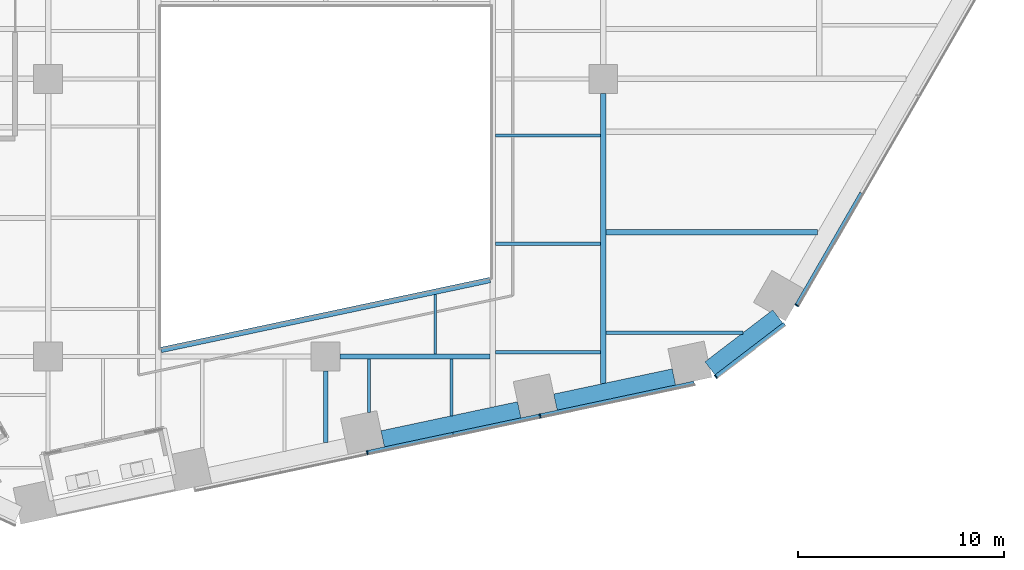
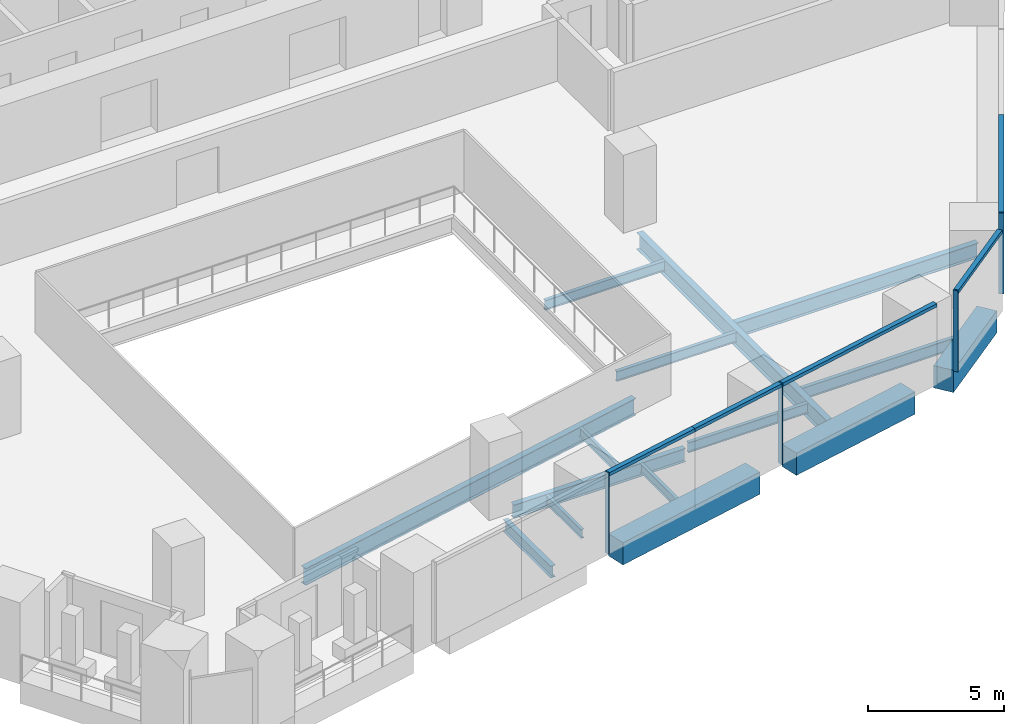
# One storey, part 5 of 28: 15 beams, 9 members, 3 elements without a shape of their own.
"""IFC4 building model written with IfcOpenShell, lengths in metres."""

from ifc_helpers import new_model, si_unit, direction, frame, origin, origin_2d, place, context, subcontext, project, spatial, rectangle, i_section, extrude, material, layer, layer_set, material_profile, profile_set, type_object, element, aggregate, save


model = new_model("IFC4")

# Units and contexts
model_context = context("Model", 3, precision=1e-05, world=origin(), true_north=direction((0.0, 1.0)))
body_context = subcontext(model_context, "Body", "Model", "MODEL_VIEW")
ifc_project = project(units=[si_unit("LENGTHUNIT", "METRE"), si_unit("AREAUNIT", "SQUARE_METRE"), si_unit("VOLUMEUNIT", "CUBIC_METRE"), si_unit("PLANEANGLEUNIT", "RADIAN"), si_unit("MASSUNIT", "GRAM", prefix="KILO")], contexts=[model_context])

# Site, building, storey
site_placement = place(None, origin())
site = spatial("IfcSite", under=ifc_project, at=site_placement, CompositionType="ELEMENT")
building_placement = place(site_placement, origin())
building = spatial("IfcBuilding", under=site, at=building_placement, Name="Isthmus Gate Tower", CompositionType="ELEMENT")
storey_placement = place(building_placement, frame((0.0, 0.0, 68.85009765625)))
storey = spatial("IfcBuildingStorey", under=building, at=storey_placement, Name="L15", CompositionType="ELEMENT", Elevation=68.85009765625)

# Curtain wall, members
ifc_material_1 = material(Name="Aluminium, pale champagne anodised", Category="aluminium")
ifc_layer = layer(ifc_material_1, 0.199951171875)
ifc_layer_set = layer_set([ifc_layer], Name="CW-1 UNITISED CURTAIN WALL 200 DEEP")
curtain_wall_type = type_object("IfcCurtainWallType", Name="CW-1 UNITISED CURTAIN WALL 200 DEEP", PredefinedType="NOTDEFINED", material=ifc_layer_set)
curtain_wall_1_placement = place(storey_placement, origin())
curtain_wall_1 = element("IfcCurtainWall", 1, at=curtain_wall_1_placement, inside=storey, type_object=curtain_wall_type, Name="CW-1 S L15", PredefinedType="NOTDEFINED")
ifc_material_2 = material(Name="Aluminium, pale champagne anodised", Category="aluminium")
ifc_material_profile_1 = material_profile(ifc_material_2, rectangle(XDim=0.06005859375, YDim=0.199951171875, at=origin_2d()), Name="60x200")
ifc_profile_set_1 = profile_set([ifc_material_profile_1], Name="Aluminium, pale champagne anodised")
member_type_1 = type_object("IfcMemberType", Name="CW-1 MULLION 60 X 200", PredefinedType="MULLION", material=ifc_profile_set_1)
member_1_placement = place(storey_placement, frame((2.02783203125, -31.671142578125, 0.0), z_axis=(0.0, 0.0, 1.0), x_axis=(0.978147600734, 0.207911690818, 0.0)))
member_1 = element("IfcMember", 2, at=member_1_placement, type_object=member_type_1, Name="CW-1 mullion", PredefinedType="MULLION", context=body_context, shape_type="SweptSolid", body=[
    extrude(rectangle(XDim=0.06005859375, YDim=0.199951171875, at=origin_2d()), origin(), (0.0, 0.0, 1.0), 3.64990234375),
])
member_2_placement = place(storey_placement, frame((10.429443359375, -29.88525390625, 0.0), z_axis=(0.0, 0.0, 1.0), x_axis=(0.978147600734, 0.207911690818, 0.0)))
member_2 = element("IfcMember", 3, at=member_2_placement, type_object=member_type_1, Name="CW-1 mullion", PredefinedType="MULLION", context=body_context, shape_type="SweptSolid", body=[
    extrude(rectangle(XDim=0.06005859375, YDim=0.199951171875, at=origin_2d()), origin(), (0.0, 0.0, 1.0), 3.64990234375),
])

# Curtain wall, member
curtain_wall_2_placement = place(storey_placement, origin())
curtain_wall_2 = element("IfcCurtainWall", 4, at=curtain_wall_2_placement, inside=storey, type_object=curtain_wall_type, Name="CW-1 S-SE L15", PredefinedType="NOTDEFINED")
member_3_placement = place(storey_placement, frame((18.978759765625, -27.982421875, 0.0), z_axis=(0.0, 0.0, 1.0), x_axis=(0.794188594387, 0.607671355706, 0.0)))
member_3 = element("IfcMember", 5, at=member_3_placement, type_object=member_type_1, Name="CW-1 mullion", PredefinedType="MULLION", context=body_context, shape_type="SweptSolid", body=[
    extrude(rectangle(XDim=0.06005859375, YDim=0.199951171875, at=origin_2d()), origin(), (0.0, 0.0, 1.0), 3.64990234375),
])

curtain_wall_3_placement = place(storey_placement, origin())
curtain_wall_3 = element("IfcCurtainWall", 6, at=curtain_wall_3_placement, inside=storey, type_object=curtain_wall_type, Name="CW-1 SE L15", PredefinedType="NOTDEFINED")
member_4_placement = place(storey_placement, frame((22.91357421875, -24.5126953125, 0.0), z_axis=(0.0, 0.0, 1.0), x_axis=(0.5, 0.866025403784, 0.0)))
member_4 = element("IfcMember", 7, at=member_4_placement, type_object=member_type_1, Name="CW-1 mullion", PredefinedType="MULLION", context=body_context, shape_type="SweptSolid", body=[
    extrude(rectangle(XDim=0.06005859375, YDim=0.199951171875, at=origin_2d()), origin(), (0.0, 0.0, 1.0), 3.64990234375),
])

# Member
ifc_material_3 = material(Name="Aluminium, pale champagne anodised", Category="aluminium")
ifc_material_profile_2 = material_profile(ifc_material_3, rectangle(XDim=0.199951171875, YDim=0.14990234375, at=origin_2d()), Name="200x150")
ifc_profile_set_2 = profile_set([ifc_material_profile_2], Name="Aluminium, pale champagne anodised")
member_type_2 = type_object("IfcMemberType", Name="CW-1 TRANSOM 200 X 150", PredefinedType="USERDEFINED", material=ifc_profile_set_2)
member_5_placement = place(storey_placement, frame((2.05712890625, -31.6650390625, 3.574951171875), z_axis=(0.978138625982, 0.207953909225, 0.0), x_axis=(-0.207953909225, 0.978138625982, 0.0)))
member_5 = element("IfcMember", 8, at=member_5_placement, type_object=member_type_2, Name="CW-1 transom", ObjectType="TRANSOM", PredefinedType="USERDEFINED", context=body_context, shape_type="SweptSolid", body=[
    extrude(rectangle(XDim=0.199951171875, YDim=0.14990234375, at=origin_2d()), origin(), (0.0, 0.0, 1.0), 4.234619140625),
])

member_6_placement = place(storey_placement, frame((6.19921875, -30.784423828125, 3.574951171875), z_axis=(0.978152927092, 0.207886630695, 0.0), x_axis=(-0.207886630695, 0.978152927092, 0.0)))
member_6 = element("IfcMember", 9, at=member_6_placement, type_object=member_type_2, Name="CW-1 transom", ObjectType="TRANSOM", PredefinedType="USERDEFINED", context=body_context, shape_type="SweptSolid", body=[
    extrude(rectangle(XDim=0.199951171875, YDim=0.14990234375, at=origin_2d()), origin(), (0.0, 0.0, 1.0), 4.294677734375),
])

member_7_placement = place(storey_placement, frame((10.458740234375, -29.879150390625, 3.574951171875), z_axis=(0.978149009137, 0.20790506469, 0.0), x_axis=(-0.20790506469, 0.978149009137, 0.0)))
member_7 = element("IfcMember", 10, at=member_7_placement, type_object=member_type_2, Name="CW-1 transom", ObjectType="TRANSOM", PredefinedType="USERDEFINED", context=body_context, shape_type="SweptSolid", body=[
    extrude(rectangle(XDim=0.199951171875, YDim=0.14990234375, at=origin_2d()), origin(), (0.0, 0.0, 1.0), 7.62939453125),
])

aggregate(curtain_wall_1, [member_1, member_5, member_6, member_2, member_7])

member_8_placement = place(storey_placement, frame((19.002685546875, -27.96435546875, 3.574951171875), z_axis=(0.794175498212, 0.607688471209, 0.0), x_axis=(-0.607688471209, 0.794175498212, 0.0)))
member_8 = element("IfcMember", 11, at=member_8_placement, type_object=member_type_2, Name="CW-1 transom", ObjectType="TRANSOM", PredefinedType="USERDEFINED", context=body_context, shape_type="SweptSolid", body=[
    extrude(rectangle(XDim=0.199951171875, YDim=0.14990234375, at=origin_2d()), origin(), (0.0, 0.0, 1.0), 4.181396484375),
])

aggregate(curtain_wall_2, [member_3, member_8])

member_9_placement = place(storey_placement, frame((22.928466796875, -24.486572265625, 3.574951171875), z_axis=(0.50002426866, 0.866011391814, 0.0), x_axis=(-0.866011391814, 0.50002426866, 0.0)))
member_9 = element("IfcMember", 12, at=member_9_placement, type_object=member_type_2, Name="CW-1 transom", ObjectType="TRANSOM", PredefinedType="USERDEFINED", context=body_context, shape_type="SweptSolid", body=[
    extrude(rectangle(XDim=0.199951171875, YDim=0.14990234375, at=origin_2d()), origin(), (0.0, 0.0, 1.0), 6.278564453125),
])

aggregate(curtain_wall_3, [member_4, member_9])

# Beams
ifc_material_4 = material(Name="Concrete f'c 70 MPa", Category="concrete")
ifc_material_profile_3 = material_profile(ifc_material_4, rectangle(XDim=0.800048828125, YDim=1.0, at=origin_2d()), Name="RC 800X1000")
ifc_profile_set_3 = profile_set([ifc_material_profile_3], Name="Concrete f'c 70 MPa")
beam_type_1 = type_object("IfcBeamType", Name="RC SPANDREL 800 X 1000", PredefinedType="SPANDREL", material=ifc_profile_set_3)
beam_1_placement = place(storey_placement, frame((21.98681640625, -25.051513671875, -0.5), z_axis=(-0.794205941875, -0.607648682949, 0.0), x_axis=(0.607648682949, -0.794205941875, 0.0)))
element("IfcBeam", 13, at=beam_1_placement, inside=storey, type_object=beam_type_1, Name="str-spandrel-L15-09", PredefinedType="SPANDREL", context=body_context, shape_type="SweptSolid", body=[
    extrude(rectangle(XDim=0.800048828125, YDim=1.0, at=origin_2d()), origin(), (0.0, 0.0, 1.0), 4.15234375),
])
beam_2_placement = place(storey_placement, frame((16.937255859375, -27.990966796875, -0.5), z_axis=(-0.97815168619, -0.207892469327, 0.0), x_axis=(0.207892469327, -0.97815168619, 0.0)))
element("IfcBeam", 14, at=beam_2_placement, inside=storey, type_object=beam_type_1, Name="str-spandrel-L15-10", PredefinedType="SPANDREL", context=body_context, shape_type="SweptSolid", body=[
    extrude(rectangle(XDim=0.800048828125, YDim=1.0, at=origin_2d()), origin(), (0.0, 0.0, 1.0), 5.889404296875),
])
beam_3_placement = place(storey_placement, frame((9.415771484375, -29.589599609375, -0.5), z_axis=(-0.978145779981, -0.207920256603, 0.0), x_axis=(0.207920256603, -0.978145779981, 0.0)))
element("IfcBeam", 15, at=beam_3_placement, inside=storey, type_object=beam_type_1, Name="str-spandrel-L15-11", PredefinedType="SPANDREL", context=body_context, shape_type="SweptSolid", body=[
    extrude(rectangle(XDim=0.800048828125, YDim=1.0, at=origin_2d()), origin(), (0.0, 0.0, 1.0), 6.789306640625),
])
ifc_material_5 = material(Name="Structural steel ASTM A992 Gr 50", Category="steel")
ifc_material_profile_4 = material_profile(ifc_material_5, i_section(OverallWidth=0.1396484375, OverallDepth=0.4033203125, WebThickness=0.00634765625, FlangeThickness=0.010986328125, at=origin_2d()), Name="W16X31")
ifc_profile_set_4 = profile_set([ifc_material_profile_4], Name="Structural steel ASTM A992 Gr 50")
beam_type_2 = type_object("IfcBeamType", Name="STEEL FLOOR BEAM W16X31", PredefinedType="JOIST", material=ifc_profile_set_4)
beam_4_placement = place(storey_placement, frame((5.333251953125, -26.8857421875, -0.351806640625), z_axis=(0.0, 1.0, 0.0), x_axis=(-1.0, 0.0, 0.0)))
element("IfcBeam", 16, at=beam_4_placement, inside=storey, type_object=beam_type_2, Name="str-beam-L15-21-00", PredefinedType="JOIST", context=body_context, shape_type="SweptSolid", body=[
    extrude(i_section(OverallWidth=0.1396484375, OverallDepth=0.4033203125, WebThickness=0.00634765625, FlangeThickness=0.010986328125, at=origin_2d()), origin(), (0.0, 0.0, 1.0), 2.903076171875),
])
beam_5_placement = place(storey_placement, frame((2.111572265625, -29.7109375, -0.351806640625), z_axis=(0.0, 1.0, 0.0), x_axis=(-1.0, 0.0, 0.0)))
element("IfcBeam", 17, at=beam_5_placement, inside=storey, type_object=beam_type_2, Name="str-beam-L15-22-00", PredefinedType="JOIST", context=body_context, shape_type="SweptSolid", body=[
    extrude(i_section(OverallWidth=0.1396484375, OverallDepth=0.4033203125, WebThickness=0.00634765625, FlangeThickness=0.010986328125, at=origin_2d()), origin(), (0.0, 0.0, 1.0), 2.5966796875),
])
beam_6_placement = place(storey_placement, frame((6.125, -29.880126953125, -0.351806640625), z_axis=(0.0, 1.0, 0.0), x_axis=(-1.0, 0.0, 0.0)))
element("IfcBeam", 18, at=beam_6_placement, inside=storey, type_object=beam_type_2, Name="str-beam-L15-22-01", PredefinedType="JOIST", context=body_context, shape_type="SweptSolid", body=[
    extrude(i_section(OverallWidth=0.1396484375, OverallDepth=0.4033203125, WebThickness=0.00634765625, FlangeThickness=0.010986328125, at=origin_2d()), origin(), (0.0, 0.0, 1.0), 2.765869140625),
])
ifc_material_6 = material(Name="Structural steel ASTM A992 Gr 50", Category="steel")
ifc_material_profile_5 = material_profile(ifc_material_6, i_section(OverallWidth=0.15234375, OverallDepth=0.45068359375, WebThickness=0.0078125, FlangeThickness=0.010986328125, at=origin_2d()), Name="W18X35")
ifc_profile_set_5 = profile_set([ifc_material_profile_5], Name="Structural steel ASTM A992 Gr 50")
beam_type_3 = type_object("IfcBeamType", Name="STEEL FLOOR BEAM W18X35", PredefinedType="JOIST", material=ifc_profile_set_5)
for number, where, z_axis, x_axis, name in (
    (19, (8.263427734375, -26.788818359375, -0.37548828125), (1.0, 0.0, 0.0), (0.0, 1.0, 0.0), "str-beam-L15-26-00"),
    (20, (8.263427734375, -21.51513671875, -0.37548828125), (1.0, 0.0, 0.0), (0.0, 1.0, 0.0), "str-beam-L15-26-01"),
    (21, (8.263427734375, -16.241455078125, -0.37548828125), (1.0, 0.0, 0.0), (0.0, 1.0, 0.0), "str-beam-L15-26-02"),
):
    element("IfcBeam", number, at=place(storey_placement, frame(where, z_axis=z_axis, x_axis=x_axis)), inside=storey, type_object=beam_type_3, Name=name, PredefinedType="JOIST", context=body_context, shape_type="SweptSolid", body=[
        extrude(i_section(OverallWidth=0.15234375, OverallDepth=0.45068359375, WebThickness=0.0078125, FlangeThickness=0.010986328125, at=origin_2d()), origin(), (0.0, 0.0, 1.0), 5.103271484375),
    ])
ifc_material_7 = material(Name="Structural steel ASTM A992 Gr 50", Category="steel")
ifc_material_profile_6 = material_profile(ifc_material_7, i_section(OverallWidth=0.1650390625, OverallDepth=0.52392578125, WebThickness=0.009521484375, FlangeThickness=0.010986328125, at=origin_2d()), Name="W21X44")
ifc_profile_set_6 = profile_set([ifc_material_profile_6], Name="Structural steel ASTM A992 Gr 50")
beam_type_4 = type_object("IfcBeamType", Name="STEEL FLOOR BEAM W21X44", PredefinedType="JOIST", material=ifc_profile_set_6)
beam_7_placement = place(storey_placement, frame((13.63330078125, -25.842529296875, -0.412109375), z_axis=(1.0, 0.0, 0.0), x_axis=(0.0, 1.0, 0.0)))
element("IfcBeam", 22, at=beam_7_placement, inside=storey, type_object=beam_type_4, Name="str-beam-L15-32-00", PredefinedType="JOIST", context=body_context, shape_type="SweptSolid", body=[
    extrude(i_section(OverallWidth=0.1650390625, OverallDepth=0.52392578125, WebThickness=0.009521484375, FlangeThickness=0.010986328125, at=origin_2d()), origin(), (0.0, 0.0, 1.0), 6.661376953125),
])
ifc_material_8 = material(Name="Structural steel ASTM A992 Gr 50", Category="steel")
ifc_material_profile_7 = material_profile(ifc_material_8, i_section(OverallWidth=0.25390625, OverallDepth=0.679443359375, WebThickness=0.010986328125, FlangeThickness=0.015869140625, at=origin_2d()), Name="W27X84")
ifc_profile_set_7 = profile_set([ifc_material_profile_7], Name="Structural steel ASTM A992 Gr 50")
beam_type_5 = type_object("IfcBeamType", Name="STEEL FLOOR BEAM W27X84", PredefinedType="JOIST", material=ifc_profile_set_7)
beam_8_placement = place(storey_placement, frame((13.63330078125, -20.958740234375, -0.48974609375), z_axis=(1.0, 0.0, 0.0), x_axis=(0.0, 1.0, 0.0)))
element("IfcBeam", 23, at=beam_8_placement, inside=storey, type_object=beam_type_5, Name="str-beam-L15-32-01", PredefinedType="JOIST", context=body_context, shape_type="SweptSolid", body=[
    extrude(i_section(OverallWidth=0.25390625, OverallDepth=0.679443359375, WebThickness=0.010986328125, FlangeThickness=0.015869140625, at=origin_2d()), origin(), (0.0, 0.0, 1.0), 10.292724609375),
])
ifc_material_9 = material(Name="Structural steel ASTM A992 Gr 50", Category="steel")
ifc_material_profile_8 = material_profile(ifc_material_9, i_section(OverallWidth=0.20947265625, OverallDepth=0.533447265625, WebThickness=0.009521484375, FlangeThickness=0.015869140625, at=origin_2d()), Name="W21X62")
ifc_profile_set_8 = profile_set([ifc_material_profile_8], Name="Structural steel ASTM A992 Gr 50")
beam_type_6 = type_object("IfcBeamType", Name="STEEL GIRDER W21X62", PredefinedType="BEAM", material=ifc_profile_set_8)
beam_9_placement = place(storey_placement, frame((0.0, -31.18212890625, -0.416748046875), z_axis=(0.0, 1.0, 0.0), x_axis=(-1.0, 0.0, 0.0)))
element("IfcBeam", 24, at=beam_9_placement, inside=storey, type_object=beam_type_6, Name="str-girder-L15-28", PredefinedType="BEAM", context=body_context, shape_type="SweptSolid", body=[
    extrude(i_section(OverallWidth=0.20947265625, OverallDepth=0.533447265625, WebThickness=0.009521484375, FlangeThickness=0.015869140625, at=origin_2d()), origin(), (0.0, 0.0, 1.0), 3.482177734375),
])
ifc_material_10 = material(Name="Structural steel ASTM A992 Gr 50", Category="steel")
ifc_material_profile_9 = material_profile(ifc_material_10, i_section(OverallWidth=0.228515625, OverallDepth=0.603271484375, WebThickness=0.010986328125, FlangeThickness=0.014404296875, at=origin_2d()), Name="W24X68")
ifc_profile_set_9 = profile_set([ifc_material_profile_9], Name="Structural steel ASTM A992 Gr 50")
beam_type_7 = type_object("IfcBeamType", Name="STEEL GIRDER W24X68", PredefinedType="BEAM", material=ifc_profile_set_9)
beam_10_placement = place(storey_placement, frame((0.699951171875, -27.0, -0.45166015625), z_axis=(1.0, 0.0, 0.0), x_axis=(0.0, 1.0, 0.0)))
element("IfcBeam", 25, at=beam_10_placement, inside=storey, type_object=beam_type_7, Name="str-girder-L15-04", PredefinedType="BEAM", context=body_context, shape_type="SweptSolid", body=[
    extrude(i_section(OverallWidth=0.228515625, OverallDepth=0.603271484375, WebThickness=0.010986328125, FlangeThickness=0.014404296875, at=origin_2d()), origin(), (0.0, 0.0, 1.0), 7.300048828125),
])
ifc_material_11 = material(Name="Structural steel ASTM A992 Gr 50", Category="steel")
ifc_material_profile_10 = material_profile(ifc_material_11, i_section(OverallWidth=0.2666015625, OverallDepth=0.7587890625, WebThickness=0.014404296875, FlangeThickness=0.01904296875, at=origin_2d()), Name="W30X108")
ifc_profile_set_10 = profile_set([ifc_material_profile_10], Name="Structural steel ASTM A992 Gr 50")
beam_type_8 = type_object("IfcBeamType", Name="STEEL GIRDER W30X108", PredefinedType="BEAM", material=ifc_profile_set_10)
beam_11_placement = place(storey_placement, frame((13.5, -28.3125, -0.529541015625), z_axis=(0.0, 1.0, 0.0), x_axis=(-1.0, 0.0, 0.0)))
element("IfcBeam", 26, at=beam_11_placement, inside=storey, type_object=beam_type_8, Name="str-girder-L15-31", PredefinedType="BEAM", context=body_context, shape_type="SweptSolid", body=[
    extrude(i_section(OverallWidth=0.2666015625, OverallDepth=0.7587890625, WebThickness=0.014404296875, FlangeThickness=0.01904296875, at=origin_2d()), origin(), (0.0, 0.0, 1.0), 14.112548828125),
])
ifc_material_12 = material(Name="Structural steel ASTM A992 Gr 50", Category="steel")
ifc_material_profile_11 = material_profile(ifc_material_12, i_section(OverallWidth=0.2666015625, OverallDepth=0.7587890625, WebThickness=0.014404296875, FlangeThickness=0.01904296875, at=origin_2d()), Name="W30X108")
ifc_profile_set_11 = profile_set([ifc_material_profile_11], Name="Structural steel ASTM A992 Gr 50")
beam_type_9 = type_object("IfcBeamType", Name="STEEL TRIMMER W30X108", PredefinedType="BEAM", material=ifc_profile_set_11)
beam_12_placement = place(storey_placement, frame((-8.0, -26.680419921875, -0.529541015625), z_axis=(0.978147924985, 0.20791016533, 0.0), x_axis=(-0.20791016533, 0.978147924985, 0.0)))
element("IfcBeam", 27, at=beam_12_placement, inside=storey, type_object=beam_type_9, Name="str-trimmer-L15-03", PredefinedType="BEAM", context=body_context, shape_type="SweptSolid", body=[
    extrude(i_section(OverallWidth=0.2666015625, OverallDepth=0.7587890625, WebThickness=0.014404296875, FlangeThickness=0.01904296875, at=origin_2d()), origin(), (0.0, 0.0, 1.0), 16.357421875),
])

save(model, "model.ifc")
